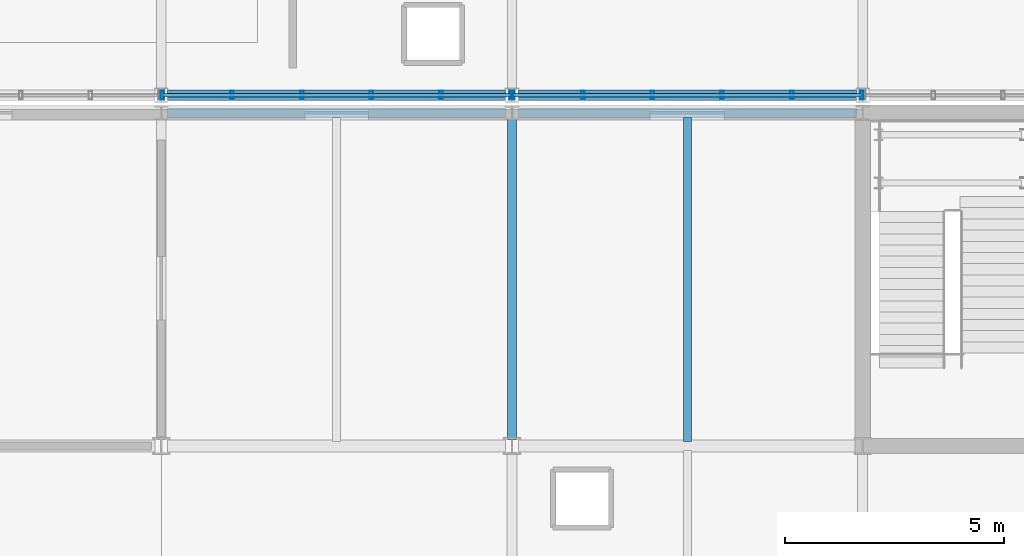
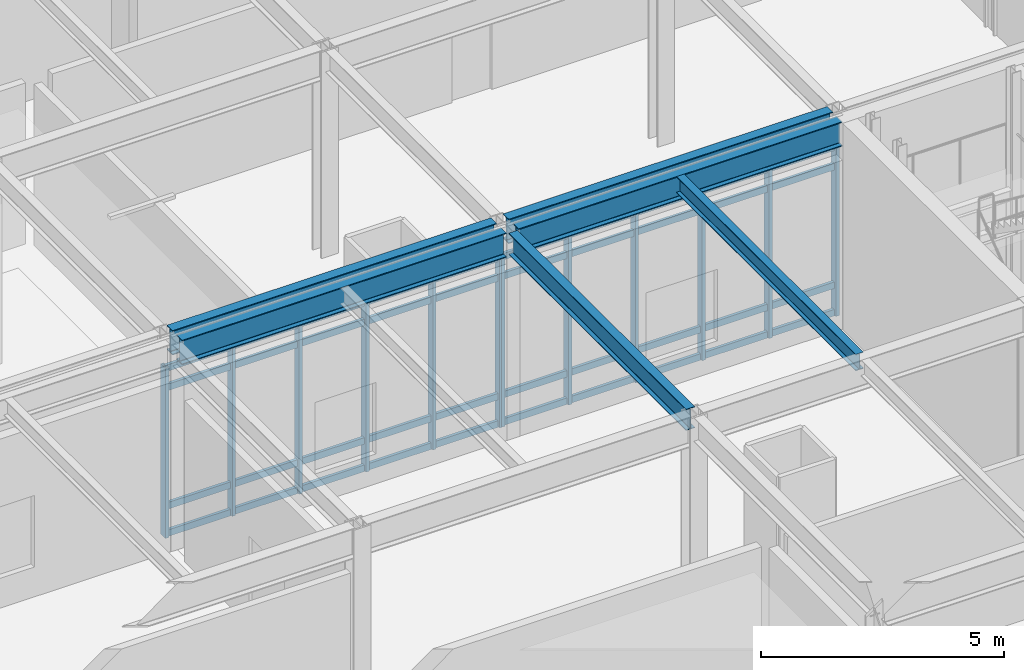
# One storey, part 57 of 94: 20 members, 6 beams, 2 elements without a shape of their own.
"""IFC4 building model written with IfcOpenShell, lengths in metres."""

import ifcopenshell
import ifcopenshell.guid

model = None  # the IFC model being written
_history = None  # IfcOwnerHistory: only IFC2X3 demands one
_inside = {}  # id of a spatial element -> (the spatial element, [elements in it])
_under = {}  # id of a project, library or spatial element -> (it, [spatial elements below it])
_declared = {}  # id of a project -> (the project, [libraries it declares])
_typed = {}  # id of a type object -> (the type object, [elements of that type])
_made_of = {}  # id of a material, layer set ... -> (it, [elements and type objects made of it])


def new_model(schema):
    """Start an empty IFC model of exactly this schema.

    Asked for "IFC4X3", IfcOpenShell would pick the latest addendum, in which some entities
    have other attributes; the version numbers below select the first issue.
    IFC2X3 requires an IfcOwnerHistory on every rooted entity: one is made here for all.
    """
    global model, _history
    if schema == "IFC4X3":
        model = ifcopenshell.file(schema_version=(4, 3, 0, 0))
    else:
        model = ifcopenshell.file(schema=schema)
    _inside.clear()
    _under.clear()
    _declared.clear()
    _typed.clear()
    _made_of.clear()
    _history = None
    if model.schema == "IFC2X3":
        org = make("IfcOrganization", Name="unknown")
        user = make(
            "IfcPersonAndOrganization",
            ThePerson=make("IfcPerson", FamilyName="unknown"),
            TheOrganization=org,
        )
        app = make(
            "IfcApplication",
            ApplicationDeveloper=org,
            Version="unknown",
            ApplicationFullName="unknown",
            ApplicationIdentifier="unknown",
        )
        _history = make(
            "IfcOwnerHistory",
            OwningUser=user,
            OwningApplication=app,
            ChangeAction="ADDED",
            CreationDate=0,
        )
    return model


def make(cls, **values):
    """One entity of the class cls with the attributes given. An attribute that is None is left unset."""
    return model.create_entity(
        cls, **{name: value for name, value in values.items() if value is not None}
    )


def rooted(cls, **values):
    """An entity with a GlobalId (a new one), such as an element, a storey or a relation."""
    return make(cls, GlobalId=ifcopenshell.guid.new(), OwnerHistory=_history, **values)


def si_unit(unit_type, name, prefix=None):
    """IfcSIUnit, for example si_unit("LENGTHUNIT", "METRE", prefix="MILLI")."""
    return make("IfcSIUnit", UnitType=unit_type, Prefix=prefix, Name=name)


def assignment(units):
    """IfcUnitAssignment: the units of a project."""
    return None if units is None else make("IfcUnitAssignment", Units=units)


def point(xyz):
    """IfcCartesianPoint."""
    return None if xyz is None else make("IfcCartesianPoint", Coordinates=xyz)


def direction(xyz):
    """IfcDirection."""
    return None if xyz is None else make("IfcDirection", DirectionRatios=xyz)


def frame(location, z_axis=None, x_axis=None):
    """IfcAxis2Placement3D, a coordinate frame: its origin and axes. An axis left out is left unset."""
    return make(
        "IfcAxis2Placement3D",
        Location=point(location),
        Axis=direction(z_axis),
        RefDirection=direction(x_axis),
    )


def frame_2d(location, x_axis=None):
    """IfcAxis2Placement2D, a coordinate frame in the plane: its origin and x axis."""
    return make(
        "IfcAxis2Placement2D", Location=point(location), RefDirection=direction(x_axis)
    )


def origin():
    """The frame at (0, 0, 0) with its axes left unset."""
    return frame((0.0, 0.0, 0.0))


def origin_2d():
    """The frame at (0, 0) in the plane with its x axis left unset."""
    return frame_2d((0.0, 0.0))


def place(relative_to, where):
    """IfcLocalPlacement: puts the frame where relative to a parent placement (None: the world)."""
    return make(
        "IfcLocalPlacement", PlacementRelTo=relative_to, RelativePlacement=where
    )


def context(
    kind, dimensions, precision=None, world=None, true_north=None, identifier=None
):
    """IfcGeometricRepresentationContext, for example the 3D "Model" context."""
    return make(
        "IfcGeometricRepresentationContext",
        ContextIdentifier=identifier,
        ContextType=kind,
        CoordinateSpaceDimension=dimensions,
        Precision=precision,
        WorldCoordinateSystem=world,
        TrueNorth=true_north,
    )


def subcontext(parent, identifier, kind, view, scale=None):
    """IfcGeometricRepresentationSubContext, for example "Body" below "Model"."""
    return make(
        "IfcGeometricRepresentationSubContext",
        ContextIdentifier=identifier,
        ContextType=kind,
        ParentContext=parent,
        TargetScale=scale,
        TargetView=view,
    )


def project(units=None, contexts=None):
    """IfcProject with its units and contexts."""
    return rooted(
        "IfcProject",
        Name="project",
        RepresentationContexts=contexts,
        UnitsInContext=assignment(units),
    )


def spatial(cls, under=None, at=None, **own):
    """A site, building, storey or space (cls), placed at a placement, below another one or the project."""
    s = rooted(cls, ObjectPlacement=at, **own)
    if under is not None:
        _under.setdefault(under.id(), (under, []))[1].append(s)
    return s


def profile(cls, at=None, kind="AREA", **sizes):
    """A parametric profile (cls). Its sizes go by their IFC names, for example OverallWidth=200.0."""
    return make(cls, ProfileType=kind, Position=at, **sizes)


def hollow_rectangle(**sizes):
    """IfcRectangleHollowProfileDef."""
    return profile("IfcRectangleHollowProfileDef", **sizes)


def i_section(**sizes):
    """IfcIShapeProfileDef."""
    return profile("IfcIShapeProfileDef", **sizes)


def extrude(swept, where, along, depth):
    """IfcExtrudedAreaSolid: the profile swept, set in the frame where, extruded along a direction by depth."""
    return make(
        "IfcExtrudedAreaSolid",
        SweptArea=swept,
        Position=where,
        ExtrudedDirection=direction(along),
        Depth=depth,
    )


def shape(context_of_items, identifier, shape_type, items):
    """IfcShapeRepresentation: the items that make up one representation, for example the "Body"."""
    return make(
        "IfcShapeRepresentation",
        ContextOfItems=context_of_items,
        RepresentationIdentifier=identifier,
        RepresentationType=shape_type,
        Items=items,
    )


def material(Name=None, Category=None):
    """IfcMaterial."""
    return make("IfcMaterial", Name=Name, Category=Category)


def material_profile(
    of_material, cross_section, Name=None, Category=None, Priority=None
):
    """IfcMaterialProfile: a cross section and its material."""
    return make(
        "IfcMaterialProfile",
        Name=Name,
        Material=of_material,
        Profile=cross_section,
        Priority=Priority,
        Category=Category,
    )


def profile_set(profiles, Name=None, composite=None):
    """IfcMaterialProfileSet."""
    return make(
        "IfcMaterialProfileSet",
        Name=Name,
        MaterialProfiles=profiles,
        CompositeProfile=composite,
    )


def made_of(thing, what):
    """Note that an element or type object is made of a material, layer set ...; save() writes the relation."""
    if what is not None:
        _made_of.setdefault(what.id(), (what, []))[1].append(thing)
    return thing


def type_object(cls, material=None, **own):
    """A type object (cls), such as IfcWallType, which elements share."""
    return made_of(rooted(cls, **own), material)


def element(
    cls,
    number,
    at=None,
    inside=None,
    cuts=None,
    type_object=None,
    material=None,
    context=None,
    identifier="Body",
    shape_type=None,
    held_by="IfcProductDefinitionShape",
    body=None,
    shapes=None,
    **own,
):
    """One element of the class cls, such as IfcWall. Its Tag is "e" and its number.

    at: its placement. inside: the storey or other place that contains it. cuts: it is an
    opening in that element (IfcRelVoidsElement). A single representation is given by context,
    identifier, shape_type and body (its items); several are given by shapes. held_by: the class
    of the entity that holds the representations. save() writes the other relations.
    """
    e = rooted(cls, Tag="e%d" % number, ObjectPlacement=at, **own)
    if body is not None:
        shapes = [shape(context, identifier, shape_type, body)]
    if shapes is not None:
        e.Representation = make(held_by, Representations=shapes)
    if inside is not None:
        _inside.setdefault(inside.id(), (inside, []))[1].append(e)
    if cuts is not None:
        rooted(
            "IfcRelVoidsElement", RelatingBuildingElement=cuts, RelatedOpeningElement=e
        )
    if type_object is not None:
        _typed.setdefault(type_object.id(), (type_object, []))[1].append(e)
    return made_of(e, material)


def aggregate(whole, parts):
    """IfcRelAggregates: a whole, such as a stair, and the parts it consists of."""
    return rooted("IfcRelAggregates", RelatingObject=whole, RelatedObjects=parts)


def save(model, path):
    """Write the relations noted so far, then the file.

    IfcRelAggregates (storeys below a building ...), IfcRelContainedInSpatialStructure (elements
    in a storey), IfcRelDefinesByType, IfcRelAssociatesMaterial and IfcRelDeclares: one each for
    every whole, place, type object, material and project.
    """
    for whole, parts in _under.values():
        aggregate(whole, parts)
    for where, things in _inside.values():
        rooted(
            "IfcRelContainedInSpatialStructure",
            RelatedElements=things,
            RelatingStructure=where,
        )
    for kind, things in _typed.values():
        rooted("IfcRelDefinesByType", RelatedObjects=things, RelatingType=kind)
    for what, things in _made_of.values():
        rooted("IfcRelAssociatesMaterial", RelatedObjects=things, RelatingMaterial=what)
    for by, libraries in _declared.values():
        rooted("IfcRelDeclares", RelatingContext=by, RelatedDefinitions=libraries)
    model.write(path)


model = new_model("IFC4")

# Units and contexts
model_context = context("Model", 3, precision=1e-05, world=origin(), true_north=direction((0.0, 1.0)))
body_context = subcontext(model_context, "Body", "Model", "MODEL_VIEW")
ifc_project = project(units=[si_unit("LENGTHUNIT", "METRE"), si_unit("AREAUNIT", "SQUARE_METRE"), si_unit("VOLUMEUNIT", "CUBIC_METRE"), si_unit("PLANEANGLEUNIT", "RADIAN"), si_unit("MASSUNIT", "GRAM", prefix="KILO")], contexts=[model_context])

# Site, building, storey
site_placement = place(None, origin())
site = spatial("IfcSite", under=ifc_project, at=site_placement, CompositionType="ELEMENT")
building_placement = place(site_placement, origin())
building = spatial("IfcBuilding", under=site, at=building_placement, Name="Zulena Civic Courthouse", CompositionType="ELEMENT")
storey_placement = place(building_placement, frame((0.0, 0.0, 5.39990234375)))
storey = spatial("IfcBuildingStorey", under=building, at=storey_placement, Name="L01", CompositionType="ELEMENT", Elevation=5.39990234375)

# Curtain wall, members
ifc_material_1 = material(Name="Double-silver low-E laminated solar-control glass", Category="glass")
curtain_wall_type = type_object("IfcCurtainWallType", Name="CW_7952x4280", PredefinedType="USERDEFINED", material=ifc_material_1)
curtain_wall_1_placement = place(storey_placement, origin())
curtain_wall_1 = element("IfcCurtainWall", 1, at=curtain_wall_1_placement, inside=storey, type_object=curtain_wall_type, Name="cw:V3:L01:3:1", ObjectType="UNITISED CURTAIN WALL", PredefinedType="USERDEFINED")
ifc_material_2 = material(Name="Bronze anodised thermally broken aluminium AA6063-T6", Category="aluminium")
ifc_material_profile_1 = material_profile(ifc_material_2, hollow_rectangle(XDim=0.080078125, YDim=0.199951171875, WallThickness=0.0048828125, at=origin_2d()), Name="CWM200X80X5")
ifc_profile_set_1 = profile_set([ifc_material_profile_1], Name="Bronze anodised thermally broken aluminium AA6063-T6")
member_type_1 = type_object("IfcMemberType", Name="CWMullion_200x80", PredefinedType="MULLION", material=ifc_profile_set_1)
member_1_placement = place(storey_placement, frame((163.97607421875, 30.800048828125, 0.0), z_axis=(0.0, 0.0, 1.0), x_axis=(1.0, 0.0, 0.0)))
member_1 = element("IfcMember", 2, at=member_1_placement, type_object=member_type_1, Name="cw:V3:L01:3:1:mull:0", PredefinedType="MULLION", context=body_context, shape_type="SweptSolid", body=[
    extrude(hollow_rectangle(XDim=0.080078125, YDim=0.199951171875, WallThickness=0.0048828125, at=origin_2d()), origin(), (0.0, 0.0, 1.0), 4.280029296875),
])
member_2_placement = place(storey_placement, frame((162.385498046875, 30.800048828125, 0.0), z_axis=(0.0, 0.0, 1.0), x_axis=(1.0, 0.0, 0.0)))
member_2 = element("IfcMember", 3, at=member_2_placement, type_object=member_type_1, Name="cw:V3:L01:3:1:mull:1", PredefinedType="MULLION", context=body_context, shape_type="SweptSolid", body=[
    extrude(hollow_rectangle(XDim=0.080078125, YDim=0.199951171875, WallThickness=0.0048828125, at=origin_2d()), origin(), (0.0, 0.0, 1.0), 4.280029296875),
])
member_3_placement = place(storey_placement, frame((160.795166015625, 30.800048828125, 0.0), z_axis=(0.0, 0.0, 1.0), x_axis=(1.0, 0.0, 0.0)))
member_3 = element("IfcMember", 4, at=member_3_placement, type_object=member_type_1, Name="cw:V3:L01:3:1:mull:2", PredefinedType="MULLION", context=body_context, shape_type="SweptSolid", body=[
    extrude(hollow_rectangle(XDim=0.080078125, YDim=0.199951171875, WallThickness=0.0048828125, at=origin_2d()), origin(), (0.0, 0.0, 1.0), 4.280029296875),
])
member_4_placement = place(storey_placement, frame((159.204833984375, 30.800048828125, 0.0), z_axis=(0.0, 0.0, 1.0), x_axis=(1.0, 0.0, 0.0)))
member_4 = element("IfcMember", 5, at=member_4_placement, type_object=member_type_1, Name="cw:V3:L01:3:1:mull:3", PredefinedType="MULLION", context=body_context, shape_type="SweptSolid", body=[
    extrude(hollow_rectangle(XDim=0.080078125, YDim=0.199951171875, WallThickness=0.0048828125, at=origin_2d()), origin(), (0.0, 0.0, 1.0), 4.280029296875),
])
member_5_placement = place(storey_placement, frame((157.614501953125, 30.800048828125, 0.0), z_axis=(0.0, 0.0, 1.0), x_axis=(1.0, 0.0, 0.0)))
member_5 = element("IfcMember", 6, at=member_5_placement, type_object=member_type_1, Name="cw:V3:L01:3:1:mull:4", PredefinedType="MULLION", context=body_context, shape_type="SweptSolid", body=[
    extrude(hollow_rectangle(XDim=0.080078125, YDim=0.199951171875, WallThickness=0.0048828125, at=origin_2d()), origin(), (0.0, 0.0, 1.0), 4.280029296875),
])
member_6_placement = place(storey_placement, frame((156.02392578125, 30.800048828125, 0.0), z_axis=(0.0, 0.0, 1.0), x_axis=(1.0, 0.0, 0.0)))
member_6 = element("IfcMember", 7, at=member_6_placement, type_object=member_type_1, Name="cw:V3:L01:3:1:mull:5", PredefinedType="MULLION", context=body_context, shape_type="SweptSolid", body=[
    extrude(hollow_rectangle(XDim=0.080078125, YDim=0.199951171875, WallThickness=0.0048828125, at=origin_2d()), origin(), (0.0, 0.0, 1.0), 4.280029296875),
])

curtain_wall_2_placement = place(storey_placement, origin())
curtain_wall_2 = element("IfcCurtainWall", 8, at=curtain_wall_2_placement, inside=storey, type_object=curtain_wall_type, Name="cw:V3:L01:3:2", ObjectType="UNITISED CURTAIN WALL", PredefinedType="USERDEFINED")
member_7_placement = place(storey_placement, frame((155.97607421875, 30.800048828125, 0.0), z_axis=(0.0, 0.0, 1.0), x_axis=(1.0, 0.0, 0.0)))
member_7 = element("IfcMember", 9, at=member_7_placement, type_object=member_type_1, Name="cw:V3:L01:3:2:mull:0", PredefinedType="MULLION", context=body_context, shape_type="SweptSolid", body=[
    extrude(hollow_rectangle(XDim=0.080078125, YDim=0.199951171875, WallThickness=0.0048828125, at=origin_2d()), origin(), (0.0, 0.0, 1.0), 4.280029296875),
])
member_8_placement = place(storey_placement, frame((154.385498046875, 30.800048828125, 0.0), z_axis=(0.0, 0.0, 1.0), x_axis=(1.0, 0.0, 0.0)))
member_8 = element("IfcMember", 10, at=member_8_placement, type_object=member_type_1, Name="cw:V3:L01:3:2:mull:1", PredefinedType="MULLION", context=body_context, shape_type="SweptSolid", body=[
    extrude(hollow_rectangle(XDim=0.080078125, YDim=0.199951171875, WallThickness=0.0048828125, at=origin_2d()), origin(), (0.0, 0.0, 1.0), 4.280029296875),
])
member_9_placement = place(storey_placement, frame((152.795166015625, 30.800048828125, 0.0), z_axis=(0.0, 0.0, 1.0), x_axis=(1.0, 0.0, 0.0)))
member_9 = element("IfcMember", 11, at=member_9_placement, type_object=member_type_1, Name="cw:V3:L01:3:2:mull:2", PredefinedType="MULLION", context=body_context, shape_type="SweptSolid", body=[
    extrude(hollow_rectangle(XDim=0.080078125, YDim=0.199951171875, WallThickness=0.0048828125, at=origin_2d()), origin(), (0.0, 0.0, 1.0), 4.280029296875),
])
member_10_placement = place(storey_placement, frame((151.204833984375, 30.800048828125, 0.0), z_axis=(0.0, 0.0, 1.0), x_axis=(1.0, 0.0, 0.0)))
member_10 = element("IfcMember", 12, at=member_10_placement, type_object=member_type_1, Name="cw:V3:L01:3:2:mull:3", PredefinedType="MULLION", context=body_context, shape_type="SweptSolid", body=[
    extrude(hollow_rectangle(XDim=0.080078125, YDim=0.199951171875, WallThickness=0.0048828125, at=origin_2d()), origin(), (0.0, 0.0, 1.0), 4.280029296875),
])
member_11_placement = place(storey_placement, frame((149.614501953125, 30.800048828125, 0.0), z_axis=(0.0, 0.0, 1.0), x_axis=(1.0, 0.0, 0.0)))
member_11 = element("IfcMember", 13, at=member_11_placement, type_object=member_type_1, Name="cw:V3:L01:3:2:mull:4", PredefinedType="MULLION", context=body_context, shape_type="SweptSolid", body=[
    extrude(hollow_rectangle(XDim=0.080078125, YDim=0.199951171875, WallThickness=0.0048828125, at=origin_2d()), origin(), (0.0, 0.0, 1.0), 4.280029296875),
])
member_12_placement = place(storey_placement, frame((148.02392578125, 30.800048828125, 0.0), z_axis=(0.0, 0.0, 1.0), x_axis=(1.0, 0.0, 0.0)))
member_12 = element("IfcMember", 14, at=member_12_placement, type_object=member_type_1, Name="cw:V3:L01:3:2:mull:5", PredefinedType="MULLION", context=body_context, shape_type="SweptSolid", body=[
    extrude(hollow_rectangle(XDim=0.080078125, YDim=0.199951171875, WallThickness=0.0048828125, at=origin_2d()), origin(), (0.0, 0.0, 1.0), 4.280029296875),
])

# Member
ifc_material_profile_2 = material_profile(ifc_material_2, hollow_rectangle(XDim=0.070068359375, YDim=0.1650390625, WallThickness=0.00390625, at=origin_2d()), Name="CWT165X70X4")
ifc_profile_set_2 = profile_set([ifc_material_profile_2], Name="Bronze anodised thermally broken aluminium AA6063-T6")
member_type_2 = type_object("IfcMemberType", Name="CWTransom_165x70", PredefinedType="USERDEFINED", material=ifc_profile_set_2)
member_13_placement = place(storey_placement, frame((163.97607421875, 30.800048828125, 0.06005859375), z_axis=(-1.0, 0.0, 0.0), x_axis=(0.0, -1.0, 0.0)))
member_13 = element("IfcMember", 15, at=member_13_placement, type_object=member_type_2, Name="cw:V3:L01:3:1:tran:0", ObjectType="TRANSOM", PredefinedType="USERDEFINED", context=body_context, shape_type="SweptSolid", body=[
    extrude(hollow_rectangle(XDim=0.070068359375, YDim=0.1650390625, WallThickness=0.00390625, at=origin_2d()), origin(), (0.0, 0.0, 1.0), 7.9521484375),
])

member_14_placement = place(storey_placement, frame((163.97607421875, 30.800048828125, 0.75), z_axis=(-1.0, 0.0, 0.0), x_axis=(0.0, -1.0, 0.0)))
member_14 = element("IfcMember", 16, at=member_14_placement, type_object=member_type_2, Name="cw:V3:L01:3:1:tran:1", ObjectType="TRANSOM", PredefinedType="USERDEFINED", context=body_context, shape_type="SweptSolid", body=[
    extrude(hollow_rectangle(XDim=0.070068359375, YDim=0.1650390625, WallThickness=0.00390625, at=origin_2d()), origin(), (0.0, 0.0, 1.0), 7.9521484375),
])

member_15_placement = place(storey_placement, frame((163.97607421875, 30.800048828125, 3.72998046875), z_axis=(-1.0, 0.0, 0.0), x_axis=(0.0, -1.0, 0.0)))
member_15 = element("IfcMember", 17, at=member_15_placement, type_object=member_type_2, Name="cw:V3:L01:3:1:tran:2", ObjectType="TRANSOM", PredefinedType="USERDEFINED", context=body_context, shape_type="SweptSolid", body=[
    extrude(hollow_rectangle(XDim=0.070068359375, YDim=0.1650390625, WallThickness=0.00390625, at=origin_2d()), origin(), (0.0, 0.0, 1.0), 7.9521484375),
])

member_16_placement = place(storey_placement, frame((163.97607421875, 30.800048828125, 4.22021484375), z_axis=(-1.0, 0.0, 0.0), x_axis=(0.0, -1.0, 0.0)))
member_16 = element("IfcMember", 18, at=member_16_placement, type_object=member_type_2, Name="cw:V3:L01:3:1:tran:3", ObjectType="TRANSOM", PredefinedType="USERDEFINED", context=body_context, shape_type="SweptSolid", body=[
    extrude(hollow_rectangle(XDim=0.070068359375, YDim=0.1650390625, WallThickness=0.00390625, at=origin_2d()), origin(), (0.0, 0.0, 1.0), 7.9521484375),
])

aggregate(curtain_wall_1, [member_1, member_2, member_3, member_4, member_5, member_6, member_13, member_14, member_15, member_16])

member_17_placement = place(storey_placement, frame((155.97607421875, 30.800048828125, 0.06005859375), z_axis=(-1.0, 0.0, 0.0), x_axis=(0.0, -1.0, 0.0)))
member_17 = element("IfcMember", 19, at=member_17_placement, type_object=member_type_2, Name="cw:V3:L01:3:2:tran:0", ObjectType="TRANSOM", PredefinedType="USERDEFINED", context=body_context, shape_type="SweptSolid", body=[
    extrude(hollow_rectangle(XDim=0.070068359375, YDim=0.1650390625, WallThickness=0.00390625, at=origin_2d()), origin(), (0.0, 0.0, 1.0), 7.9521484375),
])

member_18_placement = place(storey_placement, frame((155.97607421875, 30.800048828125, 0.75), z_axis=(-1.0, 0.0, 0.0), x_axis=(0.0, -1.0, 0.0)))
member_18 = element("IfcMember", 20, at=member_18_placement, type_object=member_type_2, Name="cw:V3:L01:3:2:tran:1", ObjectType="TRANSOM", PredefinedType="USERDEFINED", context=body_context, shape_type="SweptSolid", body=[
    extrude(hollow_rectangle(XDim=0.070068359375, YDim=0.1650390625, WallThickness=0.00390625, at=origin_2d()), origin(), (0.0, 0.0, 1.0), 7.9521484375),
])

member_19_placement = place(storey_placement, frame((155.97607421875, 30.800048828125, 3.72998046875), z_axis=(-1.0, 0.0, 0.0), x_axis=(0.0, -1.0, 0.0)))
member_19 = element("IfcMember", 21, at=member_19_placement, type_object=member_type_2, Name="cw:V3:L01:3:2:tran:2", ObjectType="TRANSOM", PredefinedType="USERDEFINED", context=body_context, shape_type="SweptSolid", body=[
    extrude(hollow_rectangle(XDim=0.070068359375, YDim=0.1650390625, WallThickness=0.00390625, at=origin_2d()), origin(), (0.0, 0.0, 1.0), 7.9521484375),
])

member_20_placement = place(storey_placement, frame((155.97607421875, 30.800048828125, 4.22021484375), z_axis=(-1.0, 0.0, 0.0), x_axis=(0.0, -1.0, 0.0)))
member_20 = element("IfcMember", 22, at=member_20_placement, type_object=member_type_2, Name="cw:V3:L01:3:2:tran:3", ObjectType="TRANSOM", PredefinedType="USERDEFINED", context=body_context, shape_type="SweptSolid", body=[
    extrude(hollow_rectangle(XDim=0.070068359375, YDim=0.1650390625, WallThickness=0.00390625, at=origin_2d()), origin(), (0.0, 0.0, 1.0), 7.9521484375),
])

aggregate(curtain_wall_2, [member_7, member_8, member_9, member_10, member_11, member_12, member_17, member_18, member_19, member_20])

# Beams
ifc_material_3 = material(Name="Steel ASTM A992 Grade 50", Category="steel")
ifc_material_profile_3 = material_profile(ifc_material_3, i_section(OverallWidth=0.180908203125, OverallDepth=0.4169921875, WebThickness=0.010986328125, FlangeThickness=0.018310546875, FilletRadius=0.01025390625, at=origin_2d()), Name="W16X57")
ifc_profile_set_3 = profile_set([ifc_material_profile_3], Name="Steel ASTM A992 Grade 50")
beam_type_1 = type_object("IfcBeamType", Name="Joist_W16X57", PredefinedType="JOIST", material=ifc_profile_set_3)
beam_1_placement = place(storey_placement, frame((160.0, 22.905029296875, 4.9765625), z_axis=(0.0, 1.0, 0.0), x_axis=(-1.0, 0.0, 0.0)))
element("IfcBeam", 23, at=beam_1_placement, inside=storey, type_object=beam_type_1, Name="joist:V1:L01:160.00:22.8_30.4", PredefinedType="JOIST", context=body_context, shape_type="SweptSolid", body=[
    extrude(i_section(OverallWidth=0.180908203125, OverallDepth=0.4169921875, WebThickness=0.010986328125, FlangeThickness=0.018310546875, FilletRadius=0.01025390625, at=origin_2d()), origin(), (0.0, 0.0, 1.0), 7.389892578125),
])
ifc_material_profile_4 = material_profile(ifc_material_3, i_section(OverallWidth=0.2099609375, OverallDepth=0.537109375, WebThickness=0.010986328125, FlangeThickness=0.017333984375, FilletRadius=0.0126953125, at=origin_2d()), Name="W21X68")
ifc_profile_set_4 = profile_set([ifc_material_profile_4], Name="Steel ASTM A992 Grade 50")
beam_type_2 = type_object("IfcBeamType", Name="Spandrel_W21X68", PredefinedType="SPANDREL", material=ifc_profile_set_4)
beam_2_placement = place(storey_placement, frame((156.0, 22.945068359375, 4.91650390625), z_axis=(0.0, 1.0, 0.0), x_axis=(-1.0, 0.0, 0.0)))
element("IfcBeam", 24, at=beam_2_placement, inside=storey, type_object=beam_type_2, Name="beam:Y:V1:L01:156.0:22.8_30.4", PredefinedType="SPANDREL", context=body_context, shape_type="SweptSolid", body=[
    extrude(i_section(OverallWidth=0.2099609375, OverallDepth=0.537109375, WebThickness=0.010986328125, FlangeThickness=0.017333984375, FilletRadius=0.0126953125, at=origin_2d()), origin(), (0.0, 0.0, 1.0), 7.309814453125),
])
ifc_material_profile_5 = material_profile(ifc_material_3, i_section(OverallWidth=0.22998046875, OverallDepth=0.616943359375, WebThickness=0.01318359375, FlangeThickness=0.022216796875, FilletRadius=0.0126953125, at=origin_2d()), Name="W24X94")
ifc_profile_set_5 = profile_set([ifc_material_profile_5], Name="Steel ASTM A992 Grade 50")
beam_type_3 = type_object("IfcBeamType", Name="Spandrel_W24X94", PredefinedType="SPANDREL", material=ifc_profile_set_5)
for number, where, z_axis, x_axis, name in (
    (25, (148.14501953125, 30.39990234375, 4.876708984375), (1.0, 0.0, 0.0), (0.0, 1.0, 0.0), "beam:X:V1:L01:30.4:148.0_156.0"),
    (26, (156.14501953125, 30.39990234375, 4.876708984375), (1.0, 0.0, 0.0), (0.0, 1.0, 0.0), "beam:X:V1:L01:30.4:156.0_164.0"),
    (27, (148.14501953125, 30.800048828125, 4.876708984375), (1.0, 0.0, 0.0), (0.0, 1.0, 0.0), "beam:X:V3:L01:30.8:148.0_156.0"),
    (28, (156.14501953125, 30.800048828125, 4.876708984375), (1.0, 0.0, 0.0), (0.0, 1.0, 0.0), "beam:X:V3:L01:30.8:156.0_164.0"),
):
    element("IfcBeam", number, at=place(storey_placement, frame(where, z_axis=z_axis, x_axis=x_axis)), inside=storey, type_object=beam_type_3, Name=name, PredefinedType="SPANDREL", context=body_context, shape_type="SweptSolid", body=[
        extrude(i_section(OverallWidth=0.22998046875, OverallDepth=0.616943359375, WebThickness=0.01318359375, FlangeThickness=0.022216796875, FilletRadius=0.0126953125, at=origin_2d()), origin(), (0.0, 0.0, 1.0), 7.7099609375),
    ])

save(model, "model.ifc")
